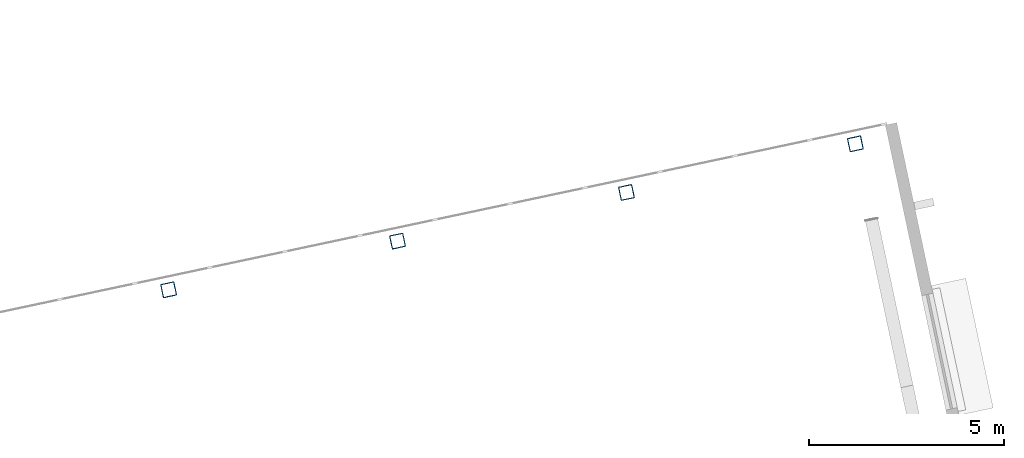
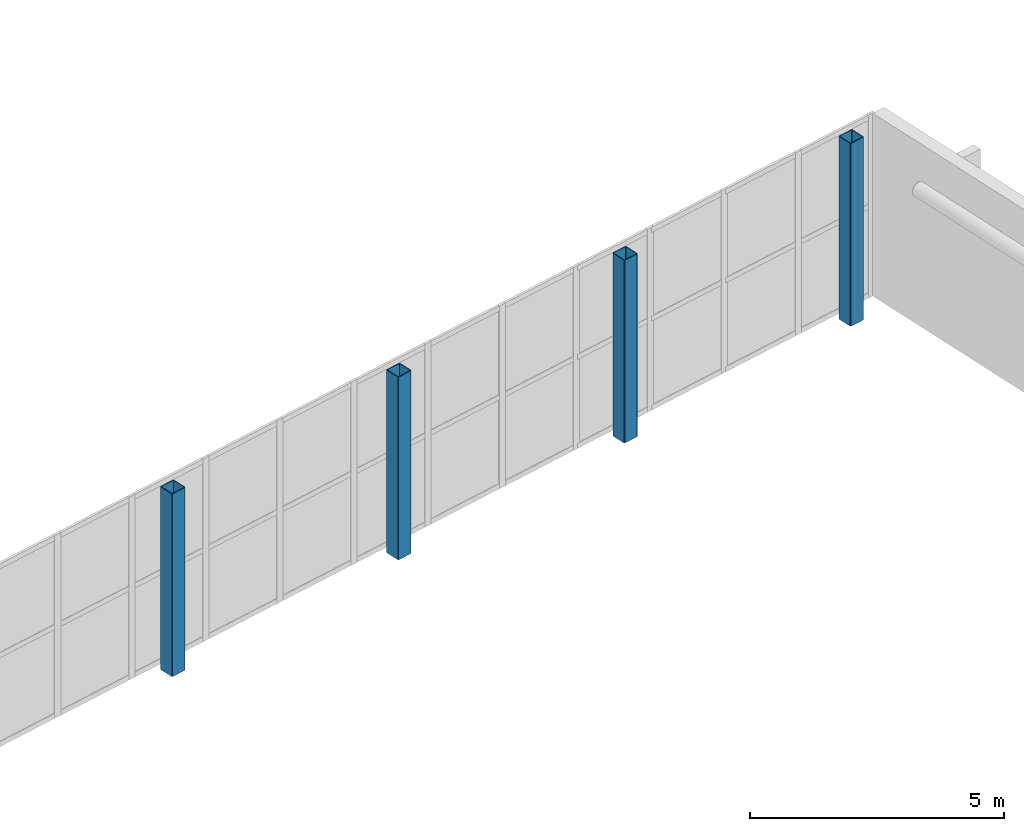
# One storey, part 15 of 95: 4 columns.
"""IFC4 building model written with IfcOpenShell, lengths in metres."""

from ifc_helpers import new_model, si_unit, direction, frame, origin, origin_2d, place, context, subcontext, project, spatial, hollow_rectangle, extrude, material, material_profile, profile_set, type_object, element, save


model = new_model("IFC4")

# Units and contexts
model_context = context("Model", 3, precision=1e-05, world=origin(), true_north=direction((0.0, 1.0)))
body_context = subcontext(model_context, "Body", "Model", "MODEL_VIEW")
ifc_project = project(units=[si_unit("LENGTHUNIT", "METRE"), si_unit("AREAUNIT", "SQUARE_METRE"), si_unit("VOLUMEUNIT", "CUBIC_METRE"), si_unit("PLANEANGLEUNIT", "RADIAN"), si_unit("MASSUNIT", "GRAM", prefix="KILO")], contexts=[model_context])

# Site, building, storey
site_placement = place(None, origin())
site = spatial("IfcSite", under=ifc_project, at=site_placement, CompositionType="ELEMENT")
building_placement = place(site_placement, origin())
building = spatial("IfcBuilding", under=site, at=building_placement, Name="Windward Yard Aquatics Centre", CompositionType="ELEMENT")
storey_placement = place(building_placement, frame((0.0, 0.0, 9.39990234375)))
storey = spatial("IfcBuildingStorey", under=building, at=storey_placement, Name="L02", CompositionType="ELEMENT", Elevation=9.39990234375)

# Columns
ifc_material = material(Name="Steel ASTM A500 Gr C", Category="steel")
ifc_material_profile = material_profile(ifc_material, hollow_rectangle(XDim=0.355712890625, YDim=0.355712890625, WallThickness=0.015869140625, InnerFilletRadius=0.008056640625, OuterFilletRadius=0.02392578125, at=origin_2d()), Name="HSS356X356X15.9")
ifc_profile_set = profile_set([ifc_material_profile], Name="Steel ASTM A500 Gr C")
column_type = type_object("IfcColumnType", Name="D column HSS356X356X15.9", PredefinedType="COLUMN", material=ifc_profile_set)
for number, where, z_axis, x_axis, name in (
    (1, (174.5361328125, 78.2958984375, 0.0), (0.0, 0.0, 1.0), (0.978147600734, 0.207911690818, 0.0), "D.COL.4.2.4"),
    (2, (180.405029296875, 79.54345703125, 0.0), (0.0, 0.0, 1.0), (0.978147600734, 0.207911690818, 0.0), "D.COL.5.2.4"),
    (3, (186.27392578125, 80.791015625, 0.0), (0.0, 0.0, 1.0), (0.978147600734, 0.207911690818, 0.0), "D.COL.6.2.4"),
    (4, (192.142822265625, 82.038330078125, 0.0), (0.0, 0.0, 1.0), (0.978147600734, 0.207911690818, 0.0), "D.COL.7.2.4"),
):
    element("IfcColumn", number, at=place(storey_placement, frame(where, z_axis=z_axis, x_axis=x_axis)), inside=storey, type_object=column_type, Name=name, PredefinedType="COLUMN", context=body_context, shape_type="SweptSolid", body=[
        extrude(hollow_rectangle(XDim=0.355712890625, YDim=0.355712890625, WallThickness=0.015869140625, InnerFilletRadius=0.008056640625, OuterFilletRadius=0.02392578125, at=origin_2d()), origin(), (0.0, 0.0, 1.0), 4.400146484375),
    ])

save(model, "model.ifc")
